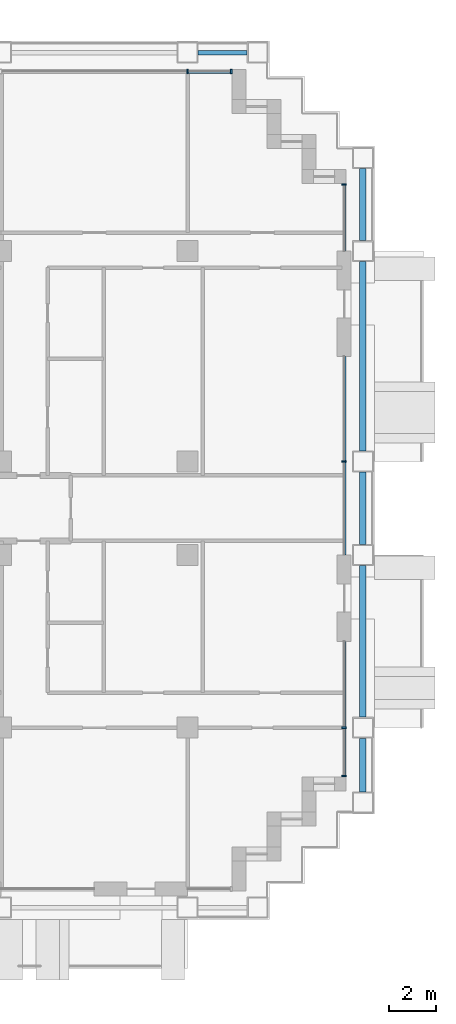
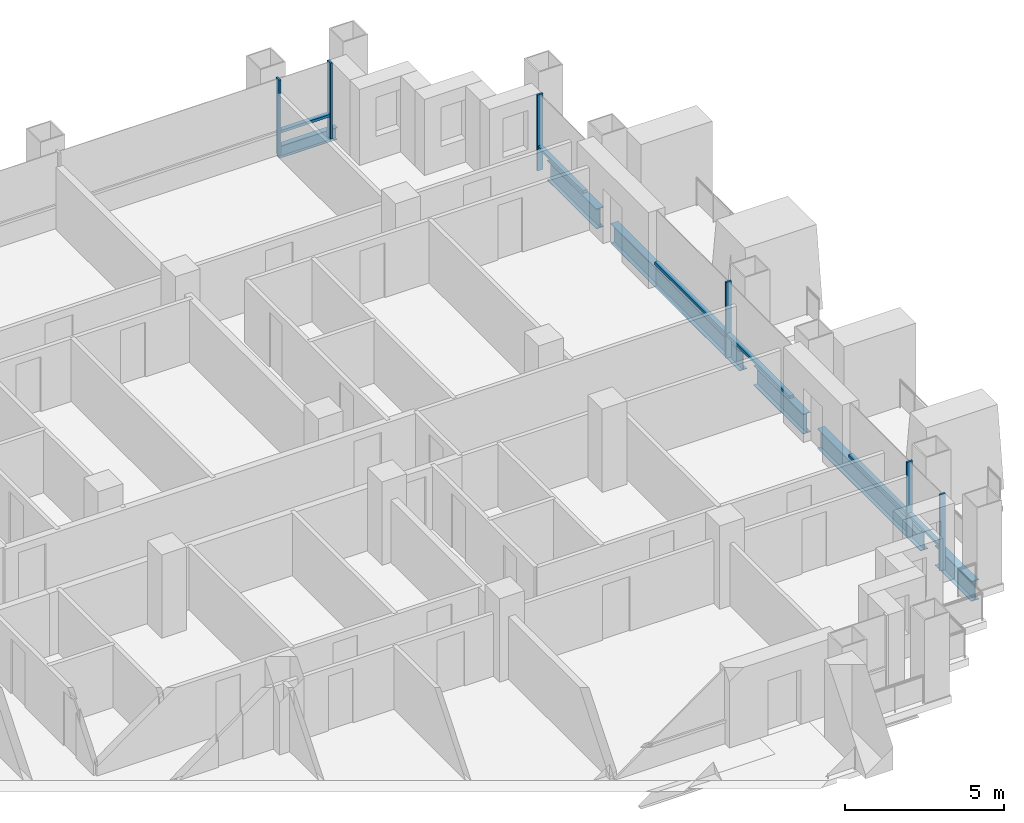
# One storey, part 6 of 18: 12 members, 6 beams, 4 elements without a shape of their own.
"""IFC4 building model written with IfcOpenShell, lengths in metres."""

from ifc_helpers import new_model, si_unit, direction, frame, origin, origin_2d, place, context, subcontext, project, spatial, rectangle, i_section, extrude, material, material_profile, profile_set, type_object, element, aggregate, save


model = new_model("IFC4")

# Units and contexts
model_context = context("Model", 3, precision=1e-05, world=origin(), true_north=direction((0.0, 1.0)))
body_context = subcontext(model_context, "Body", "Model", "MODEL_VIEW")
ifc_project = project(units=[si_unit("LENGTHUNIT", "METRE"), si_unit("AREAUNIT", "SQUARE_METRE"), si_unit("VOLUMEUNIT", "CUBIC_METRE"), si_unit("PLANEANGLEUNIT", "RADIAN"), si_unit("MASSUNIT", "GRAM", prefix="KILO")], contexts=[model_context])

# Site, building, storey
site_placement = place(None, origin())
site = spatial("IfcSite", under=ifc_project, at=site_placement, CompositionType="ELEMENT")
building_placement = place(site_placement, origin())
building = spatial("IfcBuilding", under=site, at=building_placement, Name="Vidyagriha Tower", CompositionType="ELEMENT")
storey_placement = place(building_placement, frame((0.0, 0.0, 83.89990234375)))
storey = spatial("IfcBuildingStorey", under=building, at=storey_placement, Name="L21", CompositionType="ELEMENT", Elevation=83.89990234375)

# Beams
ifc_material_1 = material(Name="Steel ASTM A992 Grade 50", Category="steel")
ifc_material_profile_1 = material_profile(ifc_material_1, i_section(OverallWidth=0.2666015625, OverallDepth=0.76953125, WebThickness=0.015625, FlangeThickness=0.025390625, at=origin_2d()), Name="W30X132")
ifc_profile_set_1 = profile_set([ifc_material_profile_1], Name="Steel ASTM A992 Grade 50")
beam_type_1 = type_object("IfcBeamType", Name="Cantilever edge beam W30X132", PredefinedType="SPANDREL", material=ifc_profile_set_1)
beam_1_placement = place(storey_placement, frame((41.5, -12.14990234375, -0.664794921875), z_axis=(0.0, 1.0, 0.0), x_axis=(-1.0, 0.0, 0.0)))
element("IfcBeam", 1, at=beam_1_placement, inside=storey, type_object=beam_type_1, Name="st-beam-L21-E15", PredefinedType="SPANDREL", context=body_context, shape_type="SweptSolid", body=[
    extrude(i_section(OverallWidth=0.2666015625, OverallDepth=0.76953125, WebThickness=0.015625, FlangeThickness=0.025390625, at=origin_2d()), origin(), (0.0, 0.0, 1.0), 2.2998046875),
])
beam_2_placement = place(storey_placement, frame((41.5, -8.949951171875, -0.664794921875), z_axis=(0.0, 1.0, 0.0), x_axis=(-1.0, 0.0, 0.0)))
element("IfcBeam", 2, at=beam_2_placement, inside=storey, type_object=beam_type_1, Name="st-beam-L21-E16", PredefinedType="SPANDREL", context=body_context, shape_type="SweptSolid", body=[
    extrude(i_section(OverallWidth=0.2666015625, OverallDepth=0.76953125, WebThickness=0.015625, FlangeThickness=0.025390625, at=origin_2d()), origin(), (0.0, 0.0, 1.0), 6.5),
])
beam_3_placement = place(storey_placement, frame((41.5, -1.550048828125, -0.664794921875), z_axis=(0.0, 1.0, 0.0), x_axis=(-1.0, 0.0, 0.0)))
element("IfcBeam", 3, at=beam_3_placement, inside=storey, type_object=beam_type_1, Name="st-beam-L21-E17", PredefinedType="SPANDREL", context=body_context, shape_type="SweptSolid", body=[
    extrude(i_section(OverallWidth=0.2666015625, OverallDepth=0.76953125, WebThickness=0.015625, FlangeThickness=0.025390625, at=origin_2d()), origin(), (0.0, 0.0, 1.0), 3.10009765625),
])
beam_4_placement = place(storey_placement, frame((41.5, 2.449951171875, -0.664794921875), z_axis=(0.0, 1.0, 0.0), x_axis=(-1.0, 0.0, 0.0)))
element("IfcBeam", 4, at=beam_4_placement, inside=storey, type_object=beam_type_1, Name="st-beam-L21-E18", PredefinedType="SPANDREL", context=body_context, shape_type="SweptSolid", body=[
    extrude(i_section(OverallWidth=0.2666015625, OverallDepth=0.76953125, WebThickness=0.015625, FlangeThickness=0.025390625, at=origin_2d()), origin(), (0.0, 0.0, 1.0), 8.10009765625),
])
beam_5_placement = place(storey_placement, frame((41.5, 11.449951171875, -0.664794921875), z_axis=(0.0, 1.0, 0.0), x_axis=(-1.0, 0.0, 0.0)))
element("IfcBeam", 5, at=beam_5_placement, inside=storey, type_object=beam_type_1, Name="st-beam-L21-E19", PredefinedType="SPANDREL", context=body_context, shape_type="SweptSolid", body=[
    extrude(i_section(OverallWidth=0.2666015625, OverallDepth=0.76953125, WebThickness=0.015625, FlangeThickness=0.025390625, at=origin_2d()), origin(), (0.0, 0.0, 1.0), 3.10009765625),
])
ifc_material_2 = material(Name="Steel ASTM A992 Grade 50", Category="steel")
ifc_material_profile_2 = material_profile(ifc_material_2, i_section(OverallWidth=0.19189453125, OverallDepth=0.46240234375, WebThickness=0.010498046875, FlangeThickness=0.017578125, at=origin_2d()), Name="W18X60")
ifc_profile_set_2 = profile_set([ifc_material_profile_2], Name="Steel ASTM A992 Grade 50")
beam_type_2 = type_object("IfcBeamType", Name="Edge beam W18X60", PredefinedType="SPANDREL", material=ifc_profile_set_2)
beam_6_placement = place(storey_placement, frame((34.449951171875, 19.5, -0.510986328125), z_axis=(1.0, 0.0, 0.0), x_axis=(0.0, 1.0, 0.0)))
element("IfcBeam", 6, at=beam_6_placement, inside=storey, type_object=beam_type_2, Name="st-beam-L21-NE23", PredefinedType="SPANDREL", context=body_context, shape_type="SweptSolid", body=[
    extrude(i_section(OverallWidth=0.19189453125, OverallDepth=0.46240234375, WebThickness=0.010498046875, FlangeThickness=0.017578125, at=origin_2d()), origin(), (0.0, 0.0, 1.0), 2.10009765625),
])

# Curtain wall, members
ifc_material_3 = material(Name="Aluminium and glass curtain wall", Category="aluminium")
curtain_wall_type = type_object("IfcCurtainWallType", Name="Dwelling skin unitised curtain wall", PredefinedType="USERDEFINED", material=ifc_material_3)
curtain_wall_1_placement = place(storey_placement, origin())
curtain_wall_1 = element("IfcCurtainWall", 7, at=curtain_wall_1_placement, inside=storey, type_object=curtain_wall_type, Name="CW1 dwelling skin", ObjectType="UNITISED", PredefinedType="USERDEFINED")
ifc_material_4 = material(Name="Aluminium black anodised", Category="aluminium")
ifc_material_profile_3 = material_profile(ifc_material_4, rectangle(XDim=0.199951171875, YDim=0.070068359375, at=origin_2d()), Name="Mullion 70x200 black aluminium")
ifc_profile_set_3 = profile_set([ifc_material_profile_3], Name="Aluminium black anodised")
member_type_1 = type_object("IfcMemberType", Name="Mullion 70x200 black aluminium", PredefinedType="MULLION", material=ifc_profile_set_3)
member_1_placement = place(storey_placement, frame((35.864990234375, 18.699951171875, 0.0), z_axis=(0.0, 0.0, 1.0), x_axis=(0.0, -1.0, 0.0)))
member_1 = element("IfcMember", 8, at=member_1_placement, type_object=member_type_1, Name="CW1 mullion 1", PredefinedType="MULLION", context=body_context, shape_type="SweptSolid", body=[
    extrude(rectangle(XDim=0.199951171875, YDim=0.070068359375, at=origin_2d()), origin(), (0.0, 0.0, 1.0), 2.920166015625),
])
member_2_placement = place(storey_placement, frame((34.0, 18.699951171875, 0.0), z_axis=(0.0, 0.0, 1.0), x_axis=(0.0, -1.0, 0.0)))
member_2 = element("IfcMember", 9, at=member_2_placement, type_object=member_type_1, Name="CW1 mullion 2", PredefinedType="MULLION", context=body_context, shape_type="SweptSolid", body=[
    extrude(rectangle(XDim=0.199951171875, YDim=0.070068359375, at=origin_2d()), origin(), (0.0, 0.0, 1.0), 2.920166015625),
])

curtain_wall_2_placement = place(storey_placement, origin())
curtain_wall_2 = element("IfcCurtainWall", 10, at=curtain_wall_2_placement, inside=storey, type_object=curtain_wall_type, Name="CW1 dwelling skin", ObjectType="UNITISED", PredefinedType="USERDEFINED")
member_3_placement = place(storey_placement, frame((40.699951171875, -11.465087890625, 0.0), z_axis=(0.0, 0.0, 1.0), x_axis=(-1.0, 0.0, 0.0)))
member_3 = element("IfcMember", 11, at=member_3_placement, type_object=member_type_1, Name="CW1 mullion 1", PredefinedType="MULLION", context=body_context, shape_type="SweptSolid", body=[
    extrude(rectangle(XDim=0.199951171875, YDim=0.070068359375, at=origin_2d()), origin(), (0.0, 0.0, 1.0), 2.920166015625),
])
member_4_placement = place(storey_placement, frame((40.699951171875, -9.39990234375, 0.0), z_axis=(0.0, 0.0, 1.0), x_axis=(-1.0, 0.0, 0.0)))
member_4 = element("IfcMember", 12, at=member_4_placement, type_object=member_type_1, Name="CW1 mullion 2", PredefinedType="MULLION", context=body_context, shape_type="SweptSolid", body=[
    extrude(rectangle(XDim=0.199951171875, YDim=0.070068359375, at=origin_2d()), origin(), (0.0, 0.0, 1.0), 2.920166015625),
])

# Curtain wall, member
curtain_wall_3_placement = place(storey_placement, origin())
curtain_wall_3 = element("IfcCurtainWall", 13, at=curtain_wall_3_placement, inside=storey, type_object=curtain_wall_type, Name="CW1 dwelling skin", ObjectType="UNITISED", PredefinedType="USERDEFINED")
member_5_placement = place(storey_placement, frame((40.699951171875, 2.0, 0.0), z_axis=(0.0, 0.0, 1.0), x_axis=(-1.0, 0.0, 0.0)))
member_5 = element("IfcMember", 14, at=member_5_placement, type_object=member_type_1, Name="CW1 mullion 2", PredefinedType="MULLION", context=body_context, shape_type="SweptSolid", body=[
    extrude(rectangle(XDim=0.199951171875, YDim=0.070068359375, at=origin_2d()), origin(), (0.0, 0.0, 1.0), 2.920166015625),
])

curtain_wall_4_placement = place(storey_placement, origin())
curtain_wall_4 = element("IfcCurtainWall", 15, at=curtain_wall_4_placement, inside=storey, type_object=curtain_wall_type, Name="CW1 dwelling skin", ObjectType="UNITISED", PredefinedType="USERDEFINED")
member_6_placement = place(storey_placement, frame((40.699951171875, 13.864990234375, 0.0), z_axis=(0.0, 0.0, 1.0), x_axis=(-1.0, 0.0, 0.0)))
member_6 = element("IfcMember", 16, at=member_6_placement, type_object=member_type_1, Name="CW1 mullion 2", PredefinedType="MULLION", context=body_context, shape_type="SweptSolid", body=[
    extrude(rectangle(XDim=0.199951171875, YDim=0.070068359375, at=origin_2d()), origin(), (0.0, 0.0, 1.0), 2.920166015625),
])

# Member
ifc_material_5 = material(Name="Aluminium black anodised", Category="aluminium")
ifc_material_profile_4 = material_profile(ifc_material_5, rectangle(XDim=0.159912109375, YDim=0.10009765625, at=origin_2d()), Name="Transom 100x160 black aluminium")
ifc_profile_set_4 = profile_set([ifc_material_profile_4], Name="Aluminium black anodised")
member_type_2 = type_object("IfcMemberType", Name="Transom 100x160 black aluminium", PredefinedType="USERDEFINED", material=ifc_profile_set_4)
member_7_placement = place(storey_placement, frame((35.830078125, 18.699951171875, 0.900146484375), z_axis=(-1.0, 0.0, 0.0), x_axis=(0.0, -1.0, 0.0)))
member_7 = element("IfcMember", 17, at=member_7_placement, type_object=member_type_2, Name="CW1 transom 1.1", ObjectType="TRANSOM", PredefinedType="USERDEFINED", context=body_context, shape_type="SweptSolid", body=[
    extrude(rectangle(XDim=0.159912109375, YDim=0.10009765625, at=origin_2d()), origin(), (0.0, 0.0, 1.0), 1.795166015625),
])

aggregate(curtain_wall_1, [member_1, member_2, member_7])

member_8_placement = place(storey_placement, frame((40.699951171875, -11.429931640625, 0.900146484375), z_axis=(0.0, 1.0, 0.0), x_axis=(-1.0, 0.0, 0.0)))
member_8 = element("IfcMember", 18, at=member_8_placement, type_object=member_type_2, Name="CW1 transom 1.1", ObjectType="TRANSOM", PredefinedType="USERDEFINED", context=body_context, shape_type="SweptSolid", body=[
    extrude(rectangle(XDim=0.159912109375, YDim=0.10009765625, at=origin_2d()), origin(), (0.0, 0.0, 1.0), 1.994873046875),
])

member_9_placement = place(storey_placement, frame((40.699951171875, -9.364990234375, 0.900146484375), z_axis=(0.0, 1.0, 0.0), x_axis=(-1.0, 0.0, 0.0)))
member_9 = element("IfcMember", 19, at=member_9_placement, type_object=member_type_2, Name="CW1 transom 2.1", ObjectType="TRANSOM", PredefinedType="USERDEFINED", context=body_context, shape_type="SweptSolid", body=[
    extrude(rectangle(XDim=0.159912109375, YDim=0.10009765625, at=origin_2d()), origin(), (0.0, 0.0, 1.0), 3.6650390625),
])

aggregate(curtain_wall_2, [member_3, member_4, member_8, member_9])

member_10_placement = place(storey_placement, frame((40.699951171875, -2.0, 0.900146484375), z_axis=(0.0, 1.0, 0.0), x_axis=(-1.0, 0.0, 0.0)))
member_10 = element("IfcMember", 20, at=member_10_placement, type_object=member_type_2, Name="CW1 transom 1.1", ObjectType="TRANSOM", PredefinedType="USERDEFINED", context=body_context, shape_type="SweptSolid", body=[
    extrude(rectangle(XDim=0.159912109375, YDim=0.10009765625, at=origin_2d()), origin(), (0.0, 0.0, 1.0), 3.965087890625),
])

member_11_placement = place(storey_placement, frame((40.699951171875, 2.034912109375, 0.900146484375), z_axis=(0.0, 1.0, 0.0), x_axis=(-1.0, 0.0, 0.0)))
member_11 = element("IfcMember", 21, at=member_11_placement, type_object=member_type_2, Name="CW1 transom 2.1", ObjectType="TRANSOM", PredefinedType="USERDEFINED", context=body_context, shape_type="SweptSolid", body=[
    extrude(rectangle(XDim=0.159912109375, YDim=0.10009765625, at=origin_2d()), origin(), (0.0, 0.0, 1.0), 4.465087890625),
])

aggregate(curtain_wall_3, [member_5, member_10, member_11])

member_12_placement = place(storey_placement, frame((40.699951171875, 11.0, 0.900146484375), z_axis=(0.0, 1.0, 0.0), x_axis=(-1.0, 0.0, 0.0)))
member_12 = element("IfcMember", 22, at=member_12_placement, type_object=member_type_2, Name="CW1 transom 1.1", ObjectType="TRANSOM", PredefinedType="USERDEFINED", context=body_context, shape_type="SweptSolid", body=[
    extrude(rectangle(XDim=0.159912109375, YDim=0.10009765625, at=origin_2d()), origin(), (0.0, 0.0, 1.0), 2.830078125),
])

aggregate(curtain_wall_4, [member_6, member_12])

save(model, "model.ifc")
